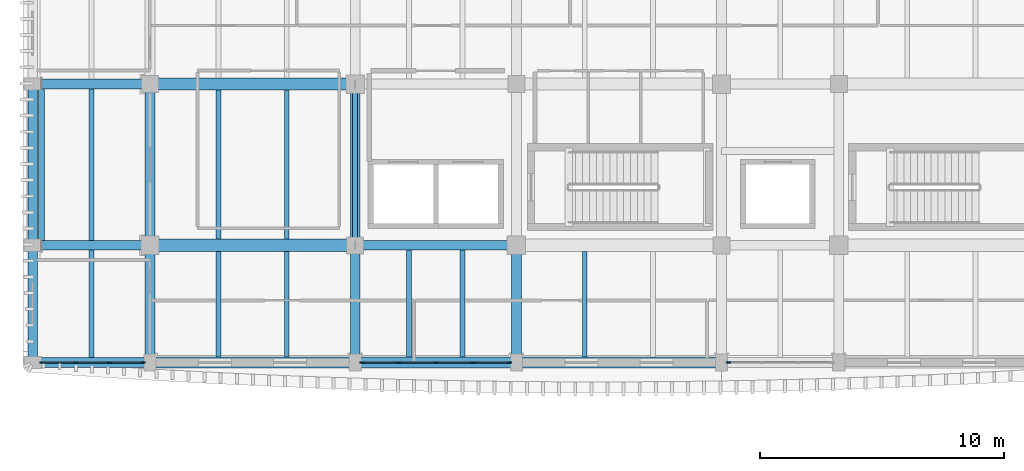
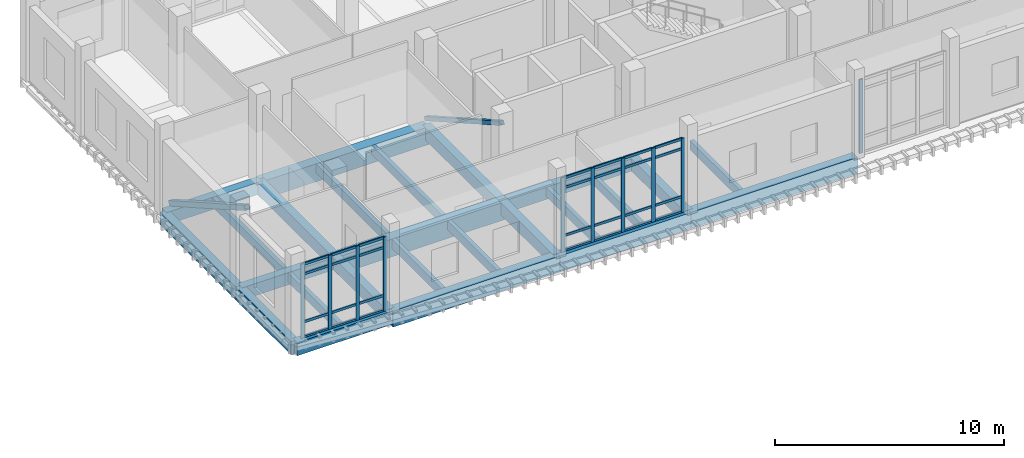
# One storey, part 15 of 76: 40 members, 25 beams, 3 elements without a shape of their own.
"""IFC4 building model written with IfcOpenShell, lengths in metres."""

from ifc_helpers import new_model, si_unit, direction, frame, origin, origin_2d, place, context, subcontext, project, spatial, rectangle, hollow_rectangle, extrude, material, material_profile, profile_set, type_object, element, aggregate, save


model = new_model("IFC4")

# Units and contexts
model_context = context("Model", 3, precision=1e-05, world=origin(), true_north=direction((0.0, 1.0)))
body_context = subcontext(model_context, "Body", "Model", "MODEL_VIEW")
ifc_project = project(units=[si_unit("LENGTHUNIT", "METRE"), si_unit("AREAUNIT", "SQUARE_METRE"), si_unit("VOLUMEUNIT", "CUBIC_METRE"), si_unit("PLANEANGLEUNIT", "RADIAN"), si_unit("MASSUNIT", "GRAM", prefix="KILO")], contexts=[model_context])

# Site, building, storey
site_placement = place(None, origin())
site = spatial("IfcSite", under=ifc_project, at=site_placement, CompositionType="ELEMENT")
building_placement = place(site_placement, origin())
building = spatial("IfcBuilding", under=site, at=building_placement, Name="Dornvale Research Institute", CompositionType="ELEMENT")
storey_placement = place(building_placement, frame((0.0, 0.0, 15.0)))
storey = spatial("IfcBuildingStorey", under=building, at=storey_placement, Name="L03", CompositionType="ELEMENT", Elevation=15.0)

# Beams
ifc_material_1 = material(Name="Concrete f'c 45 MPa (C35/45)", Category="concrete")
ifc_material_profile_1 = material_profile(ifc_material_1, rectangle(XDim=0.39990234375, YDim=0.64990234375, at=origin_2d()), Name="RC 400x650")
ifc_profile_set_1 = profile_set([ifc_material_profile_1], Name="Concrete f'c 45 MPa (C35/45)")
beam_type_1 = type_object("IfcBeamType", Name="Beam_RC400x650_Floor", PredefinedType="BEAM", material=ifc_profile_set_1)
beam_1_placement = place(storey_placement, frame((0.0, 103.800048828125, -0.324951171875), z_axis=(1.0, 0.0, 0.0), x_axis=(0.0, 1.0, 0.0)))
element("IfcBeam", 1, at=beam_1_placement, inside=storey, type_object=beam_type_1, Name="L03 primary girder #856", PredefinedType="BEAM", context=body_context, shape_type="SweptSolid", body=[
    extrude(rectangle(XDim=0.39990234375, YDim=0.64990234375, at=origin_2d()), origin(), (0.0, 0.0, 1.0), 4.800048828125),
])
beam_2_placement = place(storey_placement, frame((13.199951171875, 103.800048828125, -0.324951171875), z_axis=(1.0, 0.0, 0.0), x_axis=(0.0, 1.0, 0.0)))
element("IfcBeam", 2, at=beam_2_placement, inside=storey, type_object=beam_type_1, Name="L03 primary girder #858", PredefinedType="BEAM", context=body_context, shape_type="SweptSolid", body=[
    extrude(rectangle(XDim=0.39990234375, YDim=0.64990234375, at=origin_2d()), origin(), (0.0, 0.0, 1.0), 6.60009765625),
])
for number, where, z_axis, x_axis, name in (
    (3, (0.0, 110.39990234375, -0.324951171875), (1.0, 0.0, 0.0), (0.0, 1.0, 0.0), "L03 primary girder #863"),
    (4, (4.800048828125, 99.0, -0.324951171875), (0.0, 1.0, 0.0), (-1.0, 0.0, 0.0), "L03 transverse girder #888"),
):
    element("IfcBeam", number, at=place(storey_placement, frame(where, z_axis=z_axis, x_axis=x_axis)), inside=storey, type_object=beam_type_1, Name=name, PredefinedType="BEAM", context=body_context, shape_type="SweptSolid", body=[
        extrude(rectangle(XDim=0.39990234375, YDim=0.64990234375, at=origin_2d()), origin(), (0.0, 0.0, 1.0), 4.800048828125),
    ])
beam_3_placement = place(storey_placement, frame((4.800048828125, 103.800048828125, -0.324951171875), z_axis=(0.0, 1.0, 0.0), x_axis=(-1.0, 0.0, 0.0)))
element("IfcBeam", 5, at=beam_3_placement, inside=storey, type_object=beam_type_1, Name="L03 transverse girder #889", PredefinedType="BEAM", context=body_context, shape_type="SweptSolid", body=[
    extrude(rectangle(XDim=0.39990234375, YDim=0.64990234375, at=origin_2d()), origin(), (0.0, 0.0, 1.0), 6.599853515625),
])
beam_4_placement = place(storey_placement, frame((13.199951171875, 99.0, -0.324951171875), z_axis=(0.0, 1.0, 0.0), x_axis=(-1.0, 0.0, 0.0)))
element("IfcBeam", 6, at=beam_4_placement, inside=storey, type_object=beam_type_1, Name="L03 transverse girder #892", PredefinedType="BEAM", context=body_context, shape_type="SweptSolid", body=[
    extrude(rectangle(XDim=0.39990234375, YDim=0.64990234375, at=origin_2d()), origin(), (0.0, 0.0, 1.0), 4.800048828125),
])
beam_5_placement = place(storey_placement, frame((13.199951171875, 103.800048828125, -0.324951171875), z_axis=(0.0, 1.0, 0.0), x_axis=(-1.0, 0.0, 0.0)))
element("IfcBeam", 7, at=beam_5_placement, inside=storey, type_object=beam_type_1, Name="L03 transverse girder #893", PredefinedType="BEAM", context=body_context, shape_type="SweptSolid", body=[
    extrude(rectangle(XDim=0.39990234375, YDim=0.64990234375, at=origin_2d()), origin(), (0.0, 0.0, 1.0), 6.599853515625),
])
beam_6_placement = place(storey_placement, frame((19.800048828125, 99.0, -0.324951171875), z_axis=(0.0, 1.0, 0.0), x_axis=(-1.0, 0.0, 0.0)))
element("IfcBeam", 8, at=beam_6_placement, inside=storey, type_object=beam_type_1, Name="L03 transverse girder #896", PredefinedType="BEAM", context=body_context, shape_type="SweptSolid", body=[
    extrude(rectangle(XDim=0.39990234375, YDim=0.64990234375, at=origin_2d()), origin(), (0.0, 0.0, 1.0), 4.800048828125),
])
ifc_material_2 = material(Name="Concrete f'c 45 MPa (C35/45)", Category="concrete")
ifc_material_profile_2 = material_profile(ifc_material_2, rectangle(XDim=0.5, YDim=0.949951171875, at=origin_2d()), Name="RC 500x950")
ifc_profile_set_2 = profile_set([ifc_material_profile_2], Name="Concrete f'c 45 MPa (C35/45)")
beam_type_2 = type_object("IfcBeamType", Name="Beam_RC500x950_Girder", PredefinedType="BEAM", material=ifc_profile_set_2)
for number, where, z_axis, x_axis, name in (
    (9, (4.800048828125, 103.800048828125, -0.47509765625), (1.0, 0.0, 0.0), (0.0, 1.0, 0.0), "L03 primary girder #857"),
    (10, (4.800048828125, 110.39990234375, -0.47509765625), (1.0, 0.0, 0.0), (0.0, 1.0, 0.0), "L03 primary girder #864"),
):
    element("IfcBeam", number, at=place(storey_placement, frame(where, z_axis=z_axis, x_axis=x_axis)), inside=storey, type_object=beam_type_2, Name=name, PredefinedType="BEAM", context=body_context, shape_type="SweptSolid", body=[
        extrude(rectangle(XDim=0.5, YDim=0.949951171875, at=origin_2d()), origin(), (0.0, 0.0, 1.0), 8.39990234375),
    ])

# Members
ifc_material_3 = material(Name="Steel ASTM A500 Grade C", Category="steel")
ifc_material_profile_3 = material_profile(ifc_material_3, hollow_rectangle(XDim=0.202880859375, YDim=0.202880859375, WallThickness=0.0087890625, at=origin_2d()), Name="HSS203X203X9.5")
ifc_profile_set_3 = profile_set([ifc_material_profile_3], Name="Steel ASTM A500 Grade C")
member_type_1 = type_object("IfcMemberType", Name="Brace_HSS203X203_Int", PredefinedType="BRACE", material=ifc_profile_set_3)
member_1_placement = place(storey_placement, frame((13.199951171875, 110.39990234375, 0.300048828125), z_axis=(0.0, -0.869451847873, 0.494017696272), x_axis=(1.0, 0.0, 0.0)))
element("IfcMember", 11, at=member_1_placement, inside=storey, type_object=member_type_1, Name="L03 seismic diagonal brace #40", PredefinedType="BRACE", context=body_context, shape_type="SweptSolid", body=[
    extrude(hollow_rectangle(XDim=0.202880859375, YDim=0.202880859375, WallThickness=0.0087890625, at=origin_2d()), origin(), (0.0, 0.0, 1.0), 7.5908203125),
])
ifc_material_4 = material(Name="Steel ASTM A500 Grade C", Category="steel")
ifc_material_profile_4 = material_profile(ifc_material_4, hollow_rectangle(XDim=0.25390625, YDim=0.25390625, WallThickness=0.01171875, at=origin_2d()), Name="HSS254X254X12.7")
ifc_profile_set_4 = profile_set([ifc_material_profile_4], Name="Steel ASTM A500 Grade C")
member_type_2 = type_object("IfcMemberType", Name="Brace_HSS254X254_Int", PredefinedType="BRACE", material=ifc_profile_set_4)
member_2_placement = place(storey_placement, frame((0.360107421875, 110.39990234375, 0.300048828125), z_axis=(0.0, -0.869451847873, 0.494017696272), x_axis=(1.0, 0.0, 0.0)))
element("IfcMember", 12, at=member_2_placement, inside=storey, type_object=member_type_2, Name="L03 seismic diagonal brace #35", PredefinedType="BRACE", context=body_context, shape_type="SweptSolid", body=[
    extrude(hollow_rectangle(XDim=0.25390625, YDim=0.25390625, WallThickness=0.01171875, at=origin_2d()), origin(), (0.0, 0.0, 1.0), 7.5908203125),
])

# Beams
ifc_material_5 = material(Name="Concrete f'c 45 MPa (C35/45)", Category="concrete")
ifc_material_profile_5 = material_profile(ifc_material_5, rectangle(XDim=0.199951171875, YDim=0.485107421875, at=origin_2d()), Name="RC 200x485")
ifc_profile_set_5 = profile_set([ifc_material_profile_5], Name="Concrete f'c 45 MPa (C35/45)")
beam_type_3 = type_object("IfcBeamType", Name="Joist_RC200x485_Rib", PredefinedType="JOIST", material=ifc_profile_set_5)
beam_7_placement = place(storey_placement, frame((2.39990234375, 99.199951171875, -0.242431640625), z_axis=(0.0, 1.0, 0.0), x_axis=(-1.0, 0.0, 0.0)))
element("IfcBeam", 13, at=beam_7_placement, inside=storey, type_object=beam_type_3, Name="L03 laboratory waffle joist #415", PredefinedType="JOIST", context=body_context, shape_type="SweptSolid", body=[
    extrude(rectangle(XDim=0.199951171875, YDim=0.485107421875, at=origin_2d()), origin(), (0.0, 0.0, 1.0), 4.400146484375),
])
beam_8_placement = place(storey_placement, frame((2.39990234375, 104.0, -0.242431640625), z_axis=(0.0, 1.0, 0.0), x_axis=(-1.0, 0.0, 0.0)))
element("IfcBeam", 14, at=beam_8_placement, inside=storey, type_object=beam_type_3, Name="L03 laboratory waffle joist #416", PredefinedType="JOIST", context=body_context, shape_type="SweptSolid", body=[
    extrude(rectangle(XDim=0.199951171875, YDim=0.485107421875, at=origin_2d()), origin(), (0.0, 0.0, 1.0), 6.199951171875),
])
for number, where, z_axis, x_axis, name in (
    (15, (7.60009765625, 99.22509765625, -0.242431640625), (0.0, 1.0, 0.0), (-1.0, 0.0, 0.0), "L03 laboratory waffle joist #419"),
    (16, (10.39990234375, 99.22509765625, -0.242431640625), (0.0, 1.0, 0.0), (-1.0, 0.0, 0.0), "L03 laboratory waffle joist #420"),
):
    element("IfcBeam", number, at=place(storey_placement, frame(where, z_axis=z_axis, x_axis=x_axis)), inside=storey, type_object=beam_type_3, Name=name, PredefinedType="JOIST", context=body_context, shape_type="SweptSolid", body=[
        extrude(rectangle(XDim=0.199951171875, YDim=0.485107421875, at=origin_2d()), origin(), (0.0, 0.0, 1.0), 4.324951171875),
    ])
for number, where, z_axis, x_axis, name in (
    (17, (7.60009765625, 104.050048828125, -0.242431640625), (0.0, 1.0, 0.0), (-1.0, 0.0, 0.0), "L03 laboratory waffle joist #421"),
    (18, (10.39990234375, 104.050048828125, -0.242431640625), (0.0, 1.0, 0.0), (-1.0, 0.0, 0.0), "L03 laboratory waffle joist #422"),
):
    element("IfcBeam", number, at=place(storey_placement, frame(where, z_axis=z_axis, x_axis=x_axis)), inside=storey, type_object=beam_type_3, Name=name, PredefinedType="JOIST", context=body_context, shape_type="SweptSolid", body=[
        extrude(rectangle(XDim=0.199951171875, YDim=0.485107421875, at=origin_2d()), origin(), (0.0, 0.0, 1.0), 6.099853515625),
    ])
for number, where, z_axis, x_axis, name in (
    (19, (15.39990234375, 99.22509765625, -0.242431640625), (0.0, 1.0, 0.0), (-1.0, 0.0, 0.0), "L03 laboratory waffle joist #427"),
    (20, (17.60009765625, 99.22509765625, -0.242431640625), (0.0, 1.0, 0.0), (-1.0, 0.0, 0.0), "L03 laboratory waffle joist #428"),
):
    element("IfcBeam", number, at=place(storey_placement, frame(where, z_axis=z_axis, x_axis=x_axis)), inside=storey, type_object=beam_type_3, Name=name, PredefinedType="JOIST", context=body_context, shape_type="SweptSolid", body=[
        extrude(rectangle(XDim=0.199951171875, YDim=0.485107421875, at=origin_2d()), origin(), (0.0, 0.0, 1.0), 4.375),
    ])
beam_9_placement = place(storey_placement, frame((22.60009765625, 99.22509765625, -0.242431640625), z_axis=(0.0, 1.0, 0.0), x_axis=(-1.0, 0.0, 0.0)))
element("IfcBeam", 21, at=beam_9_placement, inside=storey, type_object=beam_type_3, Name="L03 laboratory waffle joist #433", PredefinedType="JOIST", context=body_context, shape_type="SweptSolid", body=[
    extrude(rectangle(XDim=0.199951171875, YDim=0.485107421875, at=origin_2d()), origin(), (0.0, 0.0, 1.0), 4.324951171875),
])

# Curtain wall, member
ifc_material_6 = material(Name="Low-E Argon Double Insulating Glazing Unit", Category="glass")
curtain_wall_type_1 = type_object("IfcCurtainWallType", Name="UnitisedCurtainWall_V5_4300x3950", PredefinedType="USERDEFINED", material=ifc_material_6)
curtain_wall_1_placement = place(storey_placement, origin())
curtain_wall_1 = element("IfcCurtainWall", 22, at=curtain_wall_1_placement, inside=storey, type_object=curtain_wall_type_1, Name="L03 V5 unitised curtain wall CW-25 #154", ObjectType="UNITISED CURTAIN WALL", PredefinedType="USERDEFINED")
ifc_material_7 = material(Name="Anodized Aluminum AA 6063-T6 Thermally Broken Frame", Category="aluminium")
ifc_material_profile_6 = material_profile(ifc_material_7, rectangle(XDim=0.06494140625, YDim=0.179931640625, at=origin_2d()), Name="ALU MULLION 65x180")
ifc_profile_set_6 = profile_set([ifc_material_profile_6], Name="Anodized Aluminum AA 6063-T6 Thermally Broken Frame")
member_type_3 = type_object("IfcMemberType", Name="Mullion_CW_65x180", PredefinedType="MULLION", material=ifc_profile_set_6)
member_3_placement = place(storey_placement, frame((28.482421875, 99.0, 0.0), z_axis=(0.0, 0.0, 1.0), x_axis=(0.0, -1.0, 0.0)))
member_3 = element("IfcMember", 23, at=member_3_placement, type_object=member_type_3, Name="CW-25 mullion 4", PredefinedType="MULLION", context=body_context, shape_type="SweptSolid", body=[
    extrude(rectangle(XDim=0.06494140625, YDim=0.179931640625, at=origin_2d()), origin(), (0.0, 0.0, 1.0), 3.949951171875),
])
aggregate(curtain_wall_1, [member_3])

# Curtain wall, members
ifc_material_8 = material(Name="Low-E Argon Double Insulating Glazing Unit", Category="glass")
curtain_wall_type_2 = type_object("IfcCurtainWallType", Name="UnitisedCurtainWall_V5_6100x3950", PredefinedType="USERDEFINED", material=ifc_material_8)
curtain_wall_2_placement = place(storey_placement, origin())
curtain_wall_2 = element("IfcCurtainWall", 24, at=curtain_wall_2_placement, inside=storey, type_object=curtain_wall_type_2, Name="L03 V5 unitised curtain wall CW-26 #155", ObjectType="UNITISED CURTAIN WALL", PredefinedType="USERDEFINED")
member_4_placement = place(storey_placement, frame((19.517578125, 99.0, 0.0), z_axis=(0.0, 0.0, 1.0), x_axis=(0.0, -1.0, 0.0)))
member_4 = element("IfcMember", 25, at=member_4_placement, type_object=member_type_3, Name="CW-26 mullion 1", PredefinedType="MULLION", context=body_context, shape_type="SweptSolid", body=[
    extrude(rectangle(XDim=0.06494140625, YDim=0.179931640625, at=origin_2d()), origin(), (0.0, 0.0, 1.0), 3.949951171875),
])
member_5_placement = place(storey_placement, frame((18.02490234375, 99.0, 0.0), z_axis=(0.0, 0.0, 1.0), x_axis=(0.0, -1.0, 0.0)))
member_5 = element("IfcMember", 26, at=member_5_placement, type_object=member_type_3, Name="CW-26 mullion 2", PredefinedType="MULLION", context=body_context, shape_type="SweptSolid", body=[
    extrude(rectangle(XDim=0.06494140625, YDim=0.179931640625, at=origin_2d()), origin(), (0.0, 0.0, 1.0), 3.949951171875),
])
member_6_placement = place(storey_placement, frame((16.5, 99.0, 0.0), z_axis=(0.0, 0.0, 1.0), x_axis=(0.0, -1.0, 0.0)))
member_6 = element("IfcMember", 27, at=member_6_placement, type_object=member_type_3, Name="CW-26 mullion 3", PredefinedType="MULLION", context=body_context, shape_type="SweptSolid", body=[
    extrude(rectangle(XDim=0.06494140625, YDim=0.179931640625, at=origin_2d()), origin(), (0.0, 0.0, 1.0), 3.949951171875),
])
member_7_placement = place(storey_placement, frame((14.97509765625, 99.0, 0.0), z_axis=(0.0, 0.0, 1.0), x_axis=(0.0, -1.0, 0.0)))
member_7 = element("IfcMember", 28, at=member_7_placement, type_object=member_type_3, Name="CW-26 mullion 4", PredefinedType="MULLION", context=body_context, shape_type="SweptSolid", body=[
    extrude(rectangle(XDim=0.06494140625, YDim=0.179931640625, at=origin_2d()), origin(), (0.0, 0.0, 1.0), 3.949951171875),
])
member_8_placement = place(storey_placement, frame((13.482421875, 99.0, 0.0), z_axis=(0.0, 0.0, 1.0), x_axis=(0.0, -1.0, 0.0)))
member_8 = element("IfcMember", 29, at=member_8_placement, type_object=member_type_3, Name="CW-26 mullion 5", PredefinedType="MULLION", context=body_context, shape_type="SweptSolid", body=[
    extrude(rectangle(XDim=0.06494140625, YDim=0.179931640625, at=origin_2d()), origin(), (0.0, 0.0, 1.0), 3.949951171875),
])

ifc_material_9 = material(Name="Low-E Argon Double Insulating Glazing Unit", Category="glass")
curtain_wall_type_3 = type_object("IfcCurtainWallType", Name="UnitisedCurtainWall_V5_4200x3950", PredefinedType="USERDEFINED", material=ifc_material_9)
curtain_wall_3_placement = place(storey_placement, origin())
curtain_wall_3 = element("IfcCurtainWall", 30, at=curtain_wall_3_placement, inside=storey, type_object=curtain_wall_type_3, Name="L03 V5 unitised curtain wall CW-27 #156", ObjectType="UNITISED CURTAIN WALL", PredefinedType="USERDEFINED")
member_9_placement = place(storey_placement, frame((4.517578125, 99.0, 0.0), z_axis=(0.0, 0.0, 1.0), x_axis=(0.0, -1.0, 0.0)))
member_9 = element("IfcMember", 31, at=member_9_placement, type_object=member_type_3, Name="CW-27 mullion 1", PredefinedType="MULLION", context=body_context, shape_type="SweptSolid", body=[
    extrude(rectangle(XDim=0.06494140625, YDim=0.179931640625, at=origin_2d()), origin(), (0.0, 0.0, 1.0), 3.949951171875),
])
member_10_placement = place(storey_placement, frame((3.14990234375, 99.0, 0.0), z_axis=(0.0, 0.0, 1.0), x_axis=(0.0, -1.0, 0.0)))
member_10 = element("IfcMember", 32, at=member_10_placement, type_object=member_type_3, Name="CW-27 mullion 2", PredefinedType="MULLION", context=body_context, shape_type="SweptSolid", body=[
    extrude(rectangle(XDim=0.06494140625, YDim=0.179931640625, at=origin_2d()), origin(), (0.0, 0.0, 1.0), 3.949951171875),
])
member_11_placement = place(storey_placement, frame((1.75, 99.0, 0.0), z_axis=(0.0, 0.0, 1.0), x_axis=(0.0, -1.0, 0.0)))
member_11 = element("IfcMember", 33, at=member_11_placement, type_object=member_type_3, Name="CW-27 mullion 3", PredefinedType="MULLION", context=body_context, shape_type="SweptSolid", body=[
    extrude(rectangle(XDim=0.06494140625, YDim=0.179931640625, at=origin_2d()), origin(), (0.0, 0.0, 1.0), 3.949951171875),
])
member_12_placement = place(storey_placement, frame((0.382568359375, 99.0, 0.0), z_axis=(0.0, 0.0, 1.0), x_axis=(0.0, -1.0, 0.0)))
member_12 = element("IfcMember", 34, at=member_12_placement, type_object=member_type_3, Name="CW-27 mullion 4", PredefinedType="MULLION", context=body_context, shape_type="SweptSolid", body=[
    extrude(rectangle(XDim=0.06494140625, YDim=0.179931640625, at=origin_2d()), origin(), (0.0, 0.0, 1.0), 3.949951171875),
])

# Beams
ifc_material_10 = material(Name="Concrete f'c 45 MPa (C35/45)", Category="concrete")
ifc_material_profile_7 = material_profile(ifc_material_10, rectangle(XDim=0.39990234375, YDim=0.699951171875, at=origin_2d()), Name="RC 400x700")
ifc_profile_set_7 = profile_set([ifc_material_profile_7], Name="Concrete f'c 45 MPa (C35/45)")
beam_type_4 = type_object("IfcBeamType", Name="Spandrel_RC400x700_Ext", PredefinedType="SPANDREL", material=ifc_profile_set_7)
for number, where, z_axis, x_axis, name in (
    (35, (0.0, 99.0, -0.35009765625), (1.0, 0.0, 0.0), (0.0, 1.0, 0.0), "L03 perimeter spandrel #849"),
    (36, (0.0, 99.0, -0.35009765625), (0.0, 1.0, 0.0), (-1.0, 0.0, 0.0), "L03 perimeter spandrel #884"),
):
    element("IfcBeam", number, at=place(storey_placement, frame(where, z_axis=z_axis, x_axis=x_axis)), inside=storey, type_object=beam_type_4, Name=name, PredefinedType="SPANDREL", context=body_context, shape_type="SweptSolid", body=[
        extrude(rectangle(XDim=0.39990234375, YDim=0.699951171875, at=origin_2d()), origin(), (0.0, 0.0, 1.0), 4.800048828125),
    ])
beam_10_placement = place(storey_placement, frame((0.0, 103.800048828125, -0.35009765625), z_axis=(0.0, 1.0, 0.0), x_axis=(-1.0, 0.0, 0.0)))
element("IfcBeam", 37, at=beam_10_placement, inside=storey, type_object=beam_type_4, Name="L03 perimeter spandrel #885", PredefinedType="SPANDREL", context=body_context, shape_type="SweptSolid", body=[
    extrude(rectangle(XDim=0.39990234375, YDim=0.699951171875, at=origin_2d()), origin(), (0.0, 0.0, 1.0), 6.599853515625),
])
ifc_material_11 = material(Name="Concrete f'c 45 MPa (C35/45)", Category="concrete")
ifc_material_profile_8 = material_profile(ifc_material_11, rectangle(XDim=0.449951171875, YDim=0.85009765625, at=origin_2d()), Name="RC 450x850")
ifc_profile_set_8 = profile_set([ifc_material_profile_8], Name="Concrete f'c 45 MPa (C35/45)")
beam_type_5 = type_object("IfcBeamType", Name="Spandrel_RC450x850_Ext", PredefinedType="SPANDREL", material=ifc_profile_set_8)
beam_11_placement = place(storey_placement, frame((4.800048828125, 99.0, -0.425048828125), z_axis=(1.0, 0.0, 0.0), x_axis=(0.0, 1.0, 0.0)))
element("IfcBeam", 38, at=beam_11_placement, inside=storey, type_object=beam_type_5, Name="L03 perimeter spandrel #850", PredefinedType="SPANDREL", context=body_context, shape_type="SweptSolid", body=[
    extrude(rectangle(XDim=0.449951171875, YDim=0.85009765625, at=origin_2d()), origin(), (0.0, 0.0, 1.0), 8.39990234375),
])
beam_12_placement = place(storey_placement, frame((13.199951171875, 99.0, -0.425048828125), z_axis=(1.0, 0.0, 0.0), x_axis=(0.0, 1.0, 0.0)))
element("IfcBeam", 39, at=beam_12_placement, inside=storey, type_object=beam_type_5, Name="L03 perimeter spandrel #851", PredefinedType="SPANDREL", context=body_context, shape_type="SweptSolid", body=[
    extrude(rectangle(XDim=0.449951171875, YDim=0.85009765625, at=origin_2d()), origin(), (0.0, 0.0, 1.0), 6.60009765625),
])
beam_13_placement = place(storey_placement, frame((19.800048828125, 99.0, -0.425048828125), z_axis=(1.0, 0.0, 0.0), x_axis=(0.0, 1.0, 0.0)))
element("IfcBeam", 40, at=beam_13_placement, inside=storey, type_object=beam_type_5, Name="L03 perimeter spandrel #852", PredefinedType="SPANDREL", context=body_context, shape_type="SweptSolid", body=[
    extrude(rectangle(XDim=0.449951171875, YDim=0.85009765625, at=origin_2d()), origin(), (0.0, 0.0, 1.0), 8.39990234375),
])

# Member
ifc_material_12 = material(Name="Anodized Aluminum AA 6063-T6 Thermally Broken Frame", Category="aluminium")
ifc_material_profile_9 = material_profile(ifc_material_12, rectangle(XDim=0.06494140625, YDim=0.135009765625, at=origin_2d()), Name="ALU TRANSOM 65x135")
ifc_profile_set_9 = profile_set([ifc_material_profile_9], Name="Anodized Aluminum AA 6063-T6 Thermally Broken Frame")
member_type_4 = type_object("IfcMemberType", Name="Transom_CW_65x135", PredefinedType="USERDEFINED", material=ifc_profile_set_9)
member_13_placement = place(storey_placement, frame((19.485107421875, 99.0, 0.032470703125), z_axis=(-1.0, 0.0, 0.0), x_axis=(0.0, -1.0, 0.0)))
member_13 = element("IfcMember", 41, at=member_13_placement, type_object=member_type_4, Name="CW-26 transom 1.1", ObjectType="TRANSOM", PredefinedType="USERDEFINED", context=body_context, shape_type="SweptSolid", body=[
    extrude(rectangle(XDim=0.06494140625, YDim=0.135009765625, at=origin_2d()), origin(), (0.0, 0.0, 1.0), 1.427490234375),
])

member_14_placement = place(storey_placement, frame((19.485107421875, 99.0, 0.85009765625), z_axis=(-1.0, 0.0, 0.0), x_axis=(0.0, -1.0, 0.0)))
member_14 = element("IfcMember", 42, at=member_14_placement, type_object=member_type_4, Name="CW-26 transom 1.2", ObjectType="TRANSOM", PredefinedType="USERDEFINED", context=body_context, shape_type="SweptSolid", body=[
    extrude(rectangle(XDim=0.06494140625, YDim=0.135009765625, at=origin_2d()), origin(), (0.0, 0.0, 1.0), 1.427490234375),
])

member_15_placement = place(storey_placement, frame((19.485107421875, 99.0, 3.39990234375), z_axis=(-1.0, 0.0, 0.0), x_axis=(0.0, -1.0, 0.0)))
member_15 = element("IfcMember", 43, at=member_15_placement, type_object=member_type_4, Name="CW-26 transom 1.3", ObjectType="TRANSOM", PredefinedType="USERDEFINED", context=body_context, shape_type="SweptSolid", body=[
    extrude(rectangle(XDim=0.06494140625, YDim=0.135009765625, at=origin_2d()), origin(), (0.0, 0.0, 1.0), 1.427490234375),
])

member_16_placement = place(storey_placement, frame((19.485107421875, 99.0, 3.91748046875), z_axis=(-1.0, 0.0, 0.0), x_axis=(0.0, -1.0, 0.0)))
member_16 = element("IfcMember", 44, at=member_16_placement, type_object=member_type_4, Name="CW-26 transom 1.4", ObjectType="TRANSOM", PredefinedType="USERDEFINED", context=body_context, shape_type="SweptSolid", body=[
    extrude(rectangle(XDim=0.06494140625, YDim=0.135009765625, at=origin_2d()), origin(), (0.0, 0.0, 1.0), 1.427490234375),
])

member_17_placement = place(storey_placement, frame((17.992431640625, 99.0, 0.032470703125), z_axis=(-1.0, 0.0, 0.0), x_axis=(0.0, -1.0, 0.0)))
member_17 = element("IfcMember", 45, at=member_17_placement, type_object=member_type_4, Name="CW-26 transom 2.1", ObjectType="TRANSOM", PredefinedType="USERDEFINED", context=body_context, shape_type="SweptSolid", body=[
    extrude(rectangle(XDim=0.06494140625, YDim=0.135009765625, at=origin_2d()), origin(), (0.0, 0.0, 1.0), 1.4599609375),
])

member_18_placement = place(storey_placement, frame((17.992431640625, 99.0, 0.85009765625), z_axis=(-1.0, 0.0, 0.0), x_axis=(0.0, -1.0, 0.0)))
member_18 = element("IfcMember", 46, at=member_18_placement, type_object=member_type_4, Name="CW-26 transom 2.2", ObjectType="TRANSOM", PredefinedType="USERDEFINED", context=body_context, shape_type="SweptSolid", body=[
    extrude(rectangle(XDim=0.06494140625, YDim=0.135009765625, at=origin_2d()), origin(), (0.0, 0.0, 1.0), 1.4599609375),
])

member_19_placement = place(storey_placement, frame((17.992431640625, 99.0, 3.39990234375), z_axis=(-1.0, 0.0, 0.0), x_axis=(0.0, -1.0, 0.0)))
member_19 = element("IfcMember", 47, at=member_19_placement, type_object=member_type_4, Name="CW-26 transom 2.3", ObjectType="TRANSOM", PredefinedType="USERDEFINED", context=body_context, shape_type="SweptSolid", body=[
    extrude(rectangle(XDim=0.06494140625, YDim=0.135009765625, at=origin_2d()), origin(), (0.0, 0.0, 1.0), 1.4599609375),
])

member_20_placement = place(storey_placement, frame((17.992431640625, 99.0, 3.91748046875), z_axis=(-1.0, 0.0, 0.0), x_axis=(0.0, -1.0, 0.0)))
member_20 = element("IfcMember", 48, at=member_20_placement, type_object=member_type_4, Name="CW-26 transom 2.4", ObjectType="TRANSOM", PredefinedType="USERDEFINED", context=body_context, shape_type="SweptSolid", body=[
    extrude(rectangle(XDim=0.06494140625, YDim=0.135009765625, at=origin_2d()), origin(), (0.0, 0.0, 1.0), 1.4599609375),
])

member_21_placement = place(storey_placement, frame((16.467529296875, 99.0, 0.032470703125), z_axis=(-1.0, 0.0, 0.0), x_axis=(0.0, -1.0, 0.0)))
member_21 = element("IfcMember", 49, at=member_21_placement, type_object=member_type_4, Name="CW-26 transom 3.1", ObjectType="TRANSOM", PredefinedType="USERDEFINED", context=body_context, shape_type="SweptSolid", body=[
    extrude(rectangle(XDim=0.06494140625, YDim=0.135009765625, at=origin_2d()), origin(), (0.0, 0.0, 1.0), 1.4599609375),
])

member_22_placement = place(storey_placement, frame((16.467529296875, 99.0, 0.85009765625), z_axis=(-1.0, 0.0, 0.0), x_axis=(0.0, -1.0, 0.0)))
member_22 = element("IfcMember", 50, at=member_22_placement, type_object=member_type_4, Name="CW-26 transom 3.2", ObjectType="TRANSOM", PredefinedType="USERDEFINED", context=body_context, shape_type="SweptSolid", body=[
    extrude(rectangle(XDim=0.06494140625, YDim=0.135009765625, at=origin_2d()), origin(), (0.0, 0.0, 1.0), 1.4599609375),
])

member_23_placement = place(storey_placement, frame((16.467529296875, 99.0, 3.39990234375), z_axis=(-1.0, 0.0, 0.0), x_axis=(0.0, -1.0, 0.0)))
member_23 = element("IfcMember", 51, at=member_23_placement, type_object=member_type_4, Name="CW-26 transom 3.3", ObjectType="TRANSOM", PredefinedType="USERDEFINED", context=body_context, shape_type="SweptSolid", body=[
    extrude(rectangle(XDim=0.06494140625, YDim=0.135009765625, at=origin_2d()), origin(), (0.0, 0.0, 1.0), 1.4599609375),
])

member_24_placement = place(storey_placement, frame((16.467529296875, 99.0, 3.91748046875), z_axis=(-1.0, 0.0, 0.0), x_axis=(0.0, -1.0, 0.0)))
member_24 = element("IfcMember", 52, at=member_24_placement, type_object=member_type_4, Name="CW-26 transom 3.4", ObjectType="TRANSOM", PredefinedType="USERDEFINED", context=body_context, shape_type="SweptSolid", body=[
    extrude(rectangle(XDim=0.06494140625, YDim=0.135009765625, at=origin_2d()), origin(), (0.0, 0.0, 1.0), 1.4599609375),
])

member_25_placement = place(storey_placement, frame((14.9423828125, 99.0, 0.032470703125), z_axis=(-1.0, 0.0, 0.0), x_axis=(0.0, -1.0, 0.0)))
member_25 = element("IfcMember", 53, at=member_25_placement, type_object=member_type_4, Name="CW-26 transom 4.1", ObjectType="TRANSOM", PredefinedType="USERDEFINED", context=body_context, shape_type="SweptSolid", body=[
    extrude(rectangle(XDim=0.06494140625, YDim=0.135009765625, at=origin_2d()), origin(), (0.0, 0.0, 1.0), 1.427490234375),
])

member_26_placement = place(storey_placement, frame((14.9423828125, 99.0, 0.85009765625), z_axis=(-1.0, 0.0, 0.0), x_axis=(0.0, -1.0, 0.0)))
member_26 = element("IfcMember", 54, at=member_26_placement, type_object=member_type_4, Name="CW-26 transom 4.2", ObjectType="TRANSOM", PredefinedType="USERDEFINED", context=body_context, shape_type="SweptSolid", body=[
    extrude(rectangle(XDim=0.06494140625, YDim=0.135009765625, at=origin_2d()), origin(), (0.0, 0.0, 1.0), 1.427490234375),
])

member_27_placement = place(storey_placement, frame((14.9423828125, 99.0, 3.39990234375), z_axis=(-1.0, 0.0, 0.0), x_axis=(0.0, -1.0, 0.0)))
member_27 = element("IfcMember", 55, at=member_27_placement, type_object=member_type_4, Name="CW-26 transom 4.3", ObjectType="TRANSOM", PredefinedType="USERDEFINED", context=body_context, shape_type="SweptSolid", body=[
    extrude(rectangle(XDim=0.06494140625, YDim=0.135009765625, at=origin_2d()), origin(), (0.0, 0.0, 1.0), 1.427490234375),
])

member_28_placement = place(storey_placement, frame((14.9423828125, 99.0, 3.91748046875), z_axis=(-1.0, 0.0, 0.0), x_axis=(0.0, -1.0, 0.0)))
member_28 = element("IfcMember", 56, at=member_28_placement, type_object=member_type_4, Name="CW-26 transom 4.4", ObjectType="TRANSOM", PredefinedType="USERDEFINED", context=body_context, shape_type="SweptSolid", body=[
    extrude(rectangle(XDim=0.06494140625, YDim=0.135009765625, at=origin_2d()), origin(), (0.0, 0.0, 1.0), 1.427490234375),
])

aggregate(curtain_wall_2, [member_4, member_5, member_6, member_7, member_8, member_13, member_14, member_15, member_16, member_17, member_18, member_19, member_20, member_21, member_22, member_23, member_24, member_25, member_26, member_27, member_28])

member_29_placement = place(storey_placement, frame((4.485107421875, 99.0, 0.032470703125), z_axis=(-1.0, 0.0, 0.0), x_axis=(0.0, -1.0, 0.0)))
member_29 = element("IfcMember", 57, at=member_29_placement, type_object=member_type_4, Name="CW-27 transom 1.1", ObjectType="TRANSOM", PredefinedType="USERDEFINED", context=body_context, shape_type="SweptSolid", body=[
    extrude(rectangle(XDim=0.06494140625, YDim=0.135009765625, at=origin_2d()), origin(), (0.0, 0.0, 1.0), 1.302490234375),
])

member_30_placement = place(storey_placement, frame((4.485107421875, 99.0, 0.85009765625), z_axis=(-1.0, 0.0, 0.0), x_axis=(0.0, -1.0, 0.0)))
member_30 = element("IfcMember", 58, at=member_30_placement, type_object=member_type_4, Name="CW-27 transom 1.2", ObjectType="TRANSOM", PredefinedType="USERDEFINED", context=body_context, shape_type="SweptSolid", body=[
    extrude(rectangle(XDim=0.06494140625, YDim=0.135009765625, at=origin_2d()), origin(), (0.0, 0.0, 1.0), 1.302490234375),
])

member_31_placement = place(storey_placement, frame((4.485107421875, 99.0, 3.39990234375), z_axis=(-1.0, 0.0, 0.0), x_axis=(0.0, -1.0, 0.0)))
member_31 = element("IfcMember", 59, at=member_31_placement, type_object=member_type_4, Name="CW-27 transom 1.3", ObjectType="TRANSOM", PredefinedType="USERDEFINED", context=body_context, shape_type="SweptSolid", body=[
    extrude(rectangle(XDim=0.06494140625, YDim=0.135009765625, at=origin_2d()), origin(), (0.0, 0.0, 1.0), 1.302490234375),
])

member_32_placement = place(storey_placement, frame((4.485107421875, 99.0, 3.91748046875), z_axis=(-1.0, 0.0, 0.0), x_axis=(0.0, -1.0, 0.0)))
member_32 = element("IfcMember", 60, at=member_32_placement, type_object=member_type_4, Name="CW-27 transom 1.4", ObjectType="TRANSOM", PredefinedType="USERDEFINED", context=body_context, shape_type="SweptSolid", body=[
    extrude(rectangle(XDim=0.06494140625, YDim=0.135009765625, at=origin_2d()), origin(), (0.0, 0.0, 1.0), 1.302490234375),
])

member_33_placement = place(storey_placement, frame((3.117431640625, 99.0, 0.032470703125), z_axis=(-1.0, 0.0, 0.0), x_axis=(0.0, -1.0, 0.0)))
member_33 = element("IfcMember", 61, at=member_33_placement, type_object=member_type_4, Name="CW-27 transom 2.1", ObjectType="TRANSOM", PredefinedType="USERDEFINED", context=body_context, shape_type="SweptSolid", body=[
    extrude(rectangle(XDim=0.06494140625, YDim=0.135009765625, at=origin_2d()), origin(), (0.0, 0.0, 1.0), 1.3349609375),
])

member_34_placement = place(storey_placement, frame((3.117431640625, 99.0, 0.85009765625), z_axis=(-1.0, 0.0, 0.0), x_axis=(0.0, -1.0, 0.0)))
member_34 = element("IfcMember", 62, at=member_34_placement, type_object=member_type_4, Name="CW-27 transom 2.2", ObjectType="TRANSOM", PredefinedType="USERDEFINED", context=body_context, shape_type="SweptSolid", body=[
    extrude(rectangle(XDim=0.06494140625, YDim=0.135009765625, at=origin_2d()), origin(), (0.0, 0.0, 1.0), 1.3349609375),
])

member_35_placement = place(storey_placement, frame((3.117431640625, 99.0, 3.39990234375), z_axis=(-1.0, 0.0, 0.0), x_axis=(0.0, -1.0, 0.0)))
member_35 = element("IfcMember", 63, at=member_35_placement, type_object=member_type_4, Name="CW-27 transom 2.3", ObjectType="TRANSOM", PredefinedType="USERDEFINED", context=body_context, shape_type="SweptSolid", body=[
    extrude(rectangle(XDim=0.06494140625, YDim=0.135009765625, at=origin_2d()), origin(), (0.0, 0.0, 1.0), 1.3349609375),
])

member_36_placement = place(storey_placement, frame((3.117431640625, 99.0, 3.91748046875), z_axis=(-1.0, 0.0, 0.0), x_axis=(0.0, -1.0, 0.0)))
member_36 = element("IfcMember", 64, at=member_36_placement, type_object=member_type_4, Name="CW-27 transom 2.4", ObjectType="TRANSOM", PredefinedType="USERDEFINED", context=body_context, shape_type="SweptSolid", body=[
    extrude(rectangle(XDim=0.06494140625, YDim=0.135009765625, at=origin_2d()), origin(), (0.0, 0.0, 1.0), 1.3349609375),
])

member_37_placement = place(storey_placement, frame((1.717529296875, 99.0, 0.032470703125), z_axis=(-1.0, 0.0, 0.0), x_axis=(0.0, -1.0, 0.0)))
member_37 = element("IfcMember", 65, at=member_37_placement, type_object=member_type_4, Name="CW-27 transom 3.1", ObjectType="TRANSOM", PredefinedType="USERDEFINED", context=body_context, shape_type="SweptSolid", body=[
    extrude(rectangle(XDim=0.06494140625, YDim=0.135009765625, at=origin_2d()), origin(), (0.0, 0.0, 1.0), 1.302490234375),
])

member_38_placement = place(storey_placement, frame((1.717529296875, 99.0, 0.85009765625), z_axis=(-1.0, 0.0, 0.0), x_axis=(0.0, -1.0, 0.0)))
member_38 = element("IfcMember", 66, at=member_38_placement, type_object=member_type_4, Name="CW-27 transom 3.2", ObjectType="TRANSOM", PredefinedType="USERDEFINED", context=body_context, shape_type="SweptSolid", body=[
    extrude(rectangle(XDim=0.06494140625, YDim=0.135009765625, at=origin_2d()), origin(), (0.0, 0.0, 1.0), 1.302490234375),
])

member_39_placement = place(storey_placement, frame((1.717529296875, 99.0, 3.39990234375), z_axis=(-1.0, 0.0, 0.0), x_axis=(0.0, -1.0, 0.0)))
member_39 = element("IfcMember", 67, at=member_39_placement, type_object=member_type_4, Name="CW-27 transom 3.3", ObjectType="TRANSOM", PredefinedType="USERDEFINED", context=body_context, shape_type="SweptSolid", body=[
    extrude(rectangle(XDim=0.06494140625, YDim=0.135009765625, at=origin_2d()), origin(), (0.0, 0.0, 1.0), 1.302490234375),
])

member_40_placement = place(storey_placement, frame((1.717529296875, 99.0, 3.91748046875), z_axis=(-1.0, 0.0, 0.0), x_axis=(0.0, -1.0, 0.0)))
member_40 = element("IfcMember", 68, at=member_40_placement, type_object=member_type_4, Name="CW-27 transom 3.4", ObjectType="TRANSOM", PredefinedType="USERDEFINED", context=body_context, shape_type="SweptSolid", body=[
    extrude(rectangle(XDim=0.06494140625, YDim=0.135009765625, at=origin_2d()), origin(), (0.0, 0.0, 1.0), 1.302490234375),
])

aggregate(curtain_wall_3, [member_9, member_10, member_11, member_12, member_29, member_30, member_31, member_32, member_33, member_34, member_35, member_36, member_37, member_38, member_39, member_40])

save(model, "model.ifc")
